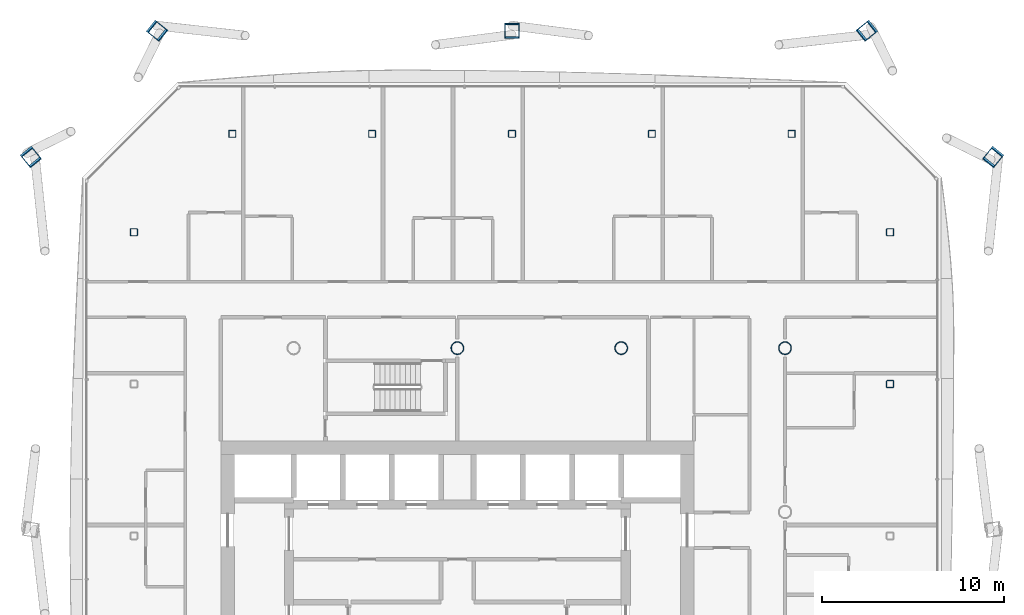
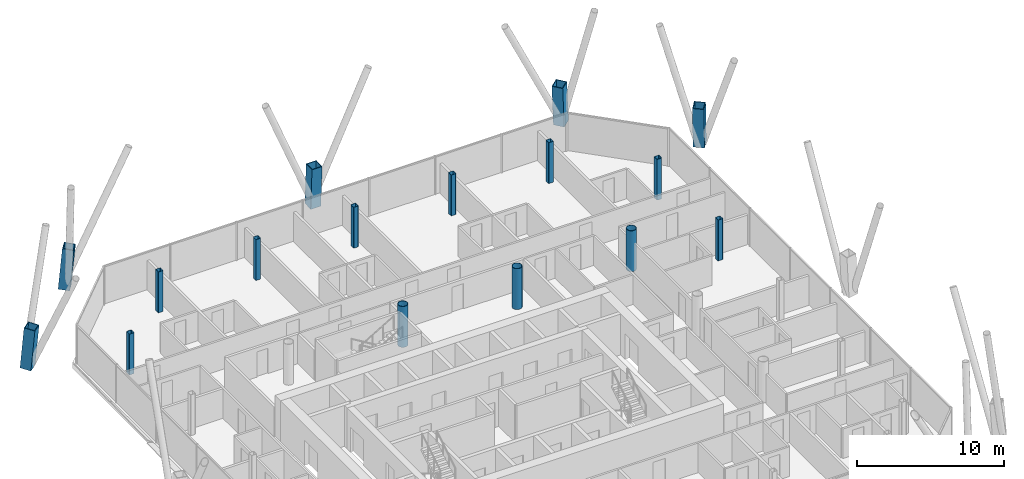
# One storey, part 3 of 22: 16 columns.
"""IFC4 building model written with IfcOpenShell, lengths in metres."""

from ifc_helpers import new_model, si_unit, direction, frame, origin, origin_2d, place, context, subcontext, project, spatial, hollow_rectangle, hollow_circle, extrude, material, material_profile, profile_set, type_object, element, save


model = new_model("IFC4")

# Units and contexts
model_context = context("Model", 3, precision=1e-05, world=origin(), true_north=direction((0.0, 1.0)))
body_context = subcontext(model_context, "Body", "Model", "MODEL_VIEW")
ifc_project = project(units=[si_unit("LENGTHUNIT", "METRE"), si_unit("AREAUNIT", "SQUARE_METRE"), si_unit("VOLUMEUNIT", "CUBIC_METRE"), si_unit("PLANEANGLEUNIT", "RADIAN"), si_unit("MASSUNIT", "GRAM", prefix="KILO")], contexts=[model_context])

# Site, building, storey
site_placement = place(None, origin())
site = spatial("IfcSite", under=ifc_project, at=site_placement, CompositionType="ELEMENT")
building_placement = place(site_placement, origin())
building = spatial("IfcBuilding", under=site, at=building_placement, Name="Tskaro Facet Tower", CompositionType="ELEMENT")
storey_placement = place(building_placement, frame((0.0, 0.0, 121.5)))
storey = spatial("IfcBuildingStorey", under=building, at=storey_placement, Name="L28", CompositionType="ELEMENT", Elevation=121.5)

# Columns
ifc_material_1 = material(Name="Steel S460M", Category="steel")
ifc_material_profile_1 = material_profile(ifc_material_1, hollow_rectangle(XDim=0.800048828125, YDim=0.800048828125, WallThickness=0.050048828125, at=origin_2d()), Name="BOX 800x800x50")
ifc_profile_set_1 = profile_set([ifc_material_profile_1], Name="Steel S460M")
column_type_1 = type_object("IfcColumnType", Name="BOX 800x800x50 mega column", PredefinedType="COLUMN", material=ifc_profile_set_1)
for number, where, z_axis, x_axis, name in (
    (1, (29.467041015625, 19.5380859375, 0.0), (-0.053658986605, -0.06653714339, 0.996340063285), (0.778413039475, -0.62775245119, 0.0), "BOX 800x800x50 MC06/3"),
    (2, (22.5380859375, 26.467041015625, 0.0), (-0.06653714339, -0.053658986605, 0.996340063285), (0.62775245119, -0.778413039475, 0.0), "BOX 800x800x50 MC07/3"),
):
    element("IfcColumn", number, at=place(storey_placement, frame(where, z_axis=z_axis, x_axis=x_axis)), inside=storey, type_object=column_type_1, Name=name, PredefinedType="COLUMN", context=body_context, shape_type="SweptSolid", body=[
        extrude(hollow_rectangle(XDim=0.800048828125, YDim=0.800048828125, WallThickness=0.050048828125, at=origin_2d()), origin(), (0.0, 0.0, 1.0), 3.412353515625),
    ])
column_placement = place(storey_placement, frame((3.0, 26.467041015625, 0.0), z_axis=(0.0, -0.053778161763, 0.998552907621), x_axis=(1.0, 0.0, 0.0)))
element("IfcColumn", 3, at=column_placement, inside=storey, type_object=column_type_1, Name="BOX 800x800x50 MC08/3", PredefinedType="COLUMN", context=body_context, shape_type="SweptSolid", body=[
    extrude(hollow_rectangle(XDim=0.800048828125, YDim=0.800048828125, WallThickness=0.050048828125, at=origin_2d()), origin(), (0.0, 0.0, 1.0), 3.40478515625),
])
for number, where, z_axis, x_axis, name in (
    (4, (-16.5380859375, 26.467041015625, 0.0), (0.06653714339, -0.053658986605, 0.996340063285), (0.62775245119, 0.778413039475, 0.0), "BOX 800x800x50 MC09/3"),
    (5, (-23.467041015625, 19.5380859375, 0.0), (0.053658986605, -0.06653714339, 0.996340063285), (0.778413039475, 0.62775245119, 0.0), "BOX 800x800x50 MC10/3"),
):
    element("IfcColumn", number, at=place(storey_placement, frame(where, z_axis=z_axis, x_axis=x_axis)), inside=storey, type_object=column_type_1, Name=name, PredefinedType="COLUMN", context=body_context, shape_type="SweptSolid", body=[
        extrude(hollow_rectangle(XDim=0.800048828125, YDim=0.800048828125, WallThickness=0.050048828125, at=origin_2d()), origin(), (0.0, 0.0, 1.0), 3.412353515625),
    ])
ifc_material_2 = material(Name="Steel S355J2H", Category="steel")
ifc_material_profile_2 = material_profile(ifc_material_2, hollow_circle(Radius=0.35546875, WallThickness=0.031982421875, at=origin_2d()), Name="CHS 711x32")
ifc_profile_set_2 = profile_set([ifc_material_profile_2], Name="Steel S355J2H")
column_type_2 = type_object("IfcColumnType", Name="CHS 711x32 interior column", PredefinedType="COLUMN", material=ifc_profile_set_2)
for number, where, z_axis, x_axis, name in (
    (6, (0.0, 9.0, 0.0), (0.0, 0.0, 1.0), (1.0, 0.0, 0.0), "CHS 711x32 C4E/3"),
    (7, (9.0, 9.0, 0.0), (0.0, 0.0, 1.0), (1.0, 0.0, 0.0), "CHS 711x32 C5E/3"),
    (8, (18.0, 9.0, 0.0), (0.0, 0.0, 1.0), (1.0, 0.0, 0.0), "CHS 711x32 C6E/3"),
):
    element("IfcColumn", number, at=place(storey_placement, frame(where, z_axis=z_axis, x_axis=x_axis)), inside=storey, type_object=column_type_2, Name=name, PredefinedType="COLUMN", context=body_context, shape_type="SweptSolid", body=[
        extrude(hollow_circle(Radius=0.35546875, WallThickness=0.031982421875, at=origin_2d()), origin(), (0.0, 0.0, 1.0), 3.39990234375),
    ])
ifc_material_profile_3 = material_profile(ifc_material_2, hollow_rectangle(XDim=0.39990234375, YDim=0.39990234375, WallThickness=0.02001953125, InnerFilletRadius=0.030029296875, OuterFilletRadius=0.050048828125, at=origin_2d()), Name="SHS 400x400x20")
ifc_profile_set_3 = profile_set([ifc_material_profile_3], Name="Steel S355J2H")
column_type_3 = type_object("IfcColumnType", Name="SHS 400x400x20 ring column", PredefinedType="COLUMN", material=ifc_profile_set_3)
for number, where, z_axis, x_axis, name in (
    (9, (23.77392578125, 7.02587890625, 0.0), (0.0, 0.0, 1.0), (1.0, 0.0, 0.0), "SHS 400x400x20 RE-4/3"),
    (10, (23.77392578125, 15.367919921875, 0.0), (0.0, 0.0, 1.0), (1.0, 0.0, 0.0), "SHS 400x400x20 RNE-1/3"),
    (11, (18.367919921875, 20.77392578125, 0.0), (0.0, 0.0, 1.0), (1.0, 0.0, 0.0), "SHS 400x400x20 RN-1/3"),
    (12, (10.68408203125, 20.77392578125, 0.0), (0.0, 0.0, 1.0), (1.0, 0.0, 0.0), "SHS 400x400x20 RN-2/3"),
    (13, (3.0, 20.77392578125, 0.0), (0.0, 0.0, 1.0), (1.0, 0.0, 0.0), "SHS 400x400x20 RN-3/3"),
    (14, (-4.68408203125, 20.77392578125, 0.0), (0.0, 0.0, 1.0), (1.0, 0.0, 0.0), "SHS 400x400x20 RN-4/3"),
    (15, (-12.367919921875, 20.77392578125, 0.0), (0.0, 0.0, 1.0), (1.0, 0.0, 0.0), "SHS 400x400x20 RNW-1/3"),
    (16, (-17.77392578125, 15.367919921875, 0.0), (0.0, 0.0, 1.0), (1.0, 0.0, 0.0), "SHS 400x400x20 RW-1/3"),
):
    element("IfcColumn", number, at=place(storey_placement, frame(where, z_axis=z_axis, x_axis=x_axis)), inside=storey, type_object=column_type_3, Name=name, PredefinedType="COLUMN", context=body_context, shape_type="SweptSolid", body=[
        extrude(hollow_rectangle(XDim=0.39990234375, YDim=0.39990234375, WallThickness=0.02001953125, InnerFilletRadius=0.030029296875, OuterFilletRadius=0.050048828125, at=origin_2d()), origin(), (0.0, 0.0, 1.0), 3.39990234375),
    ])

save(model, "model.ifc")
